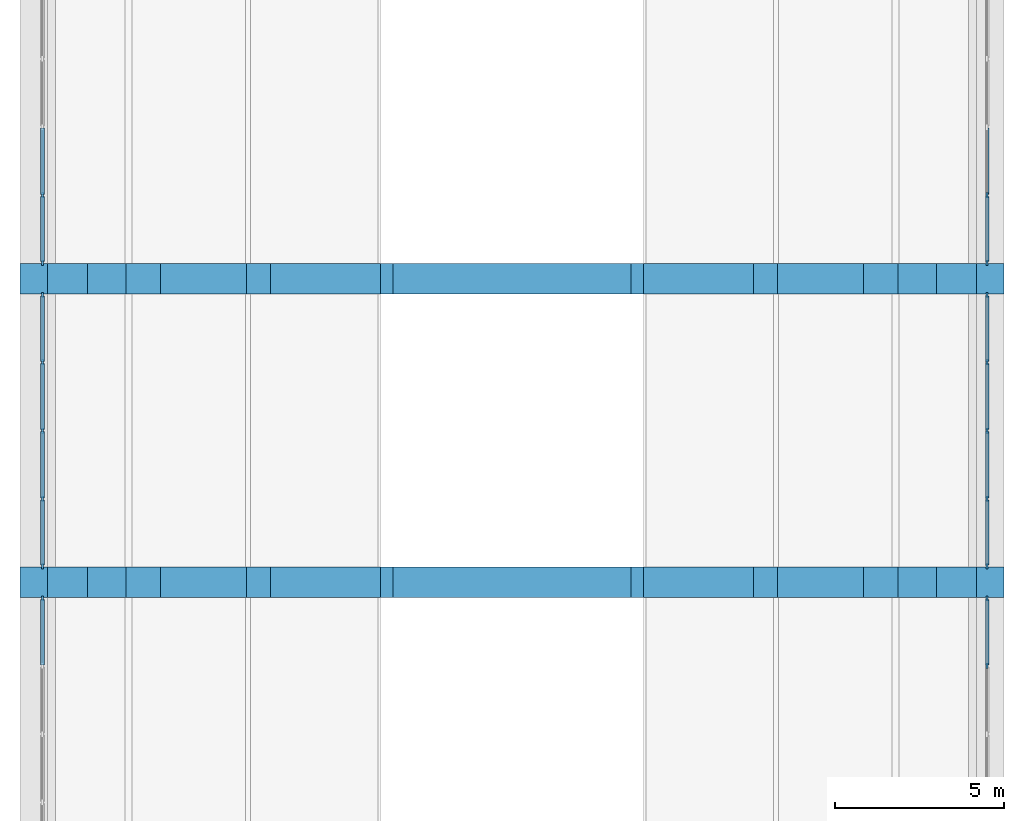
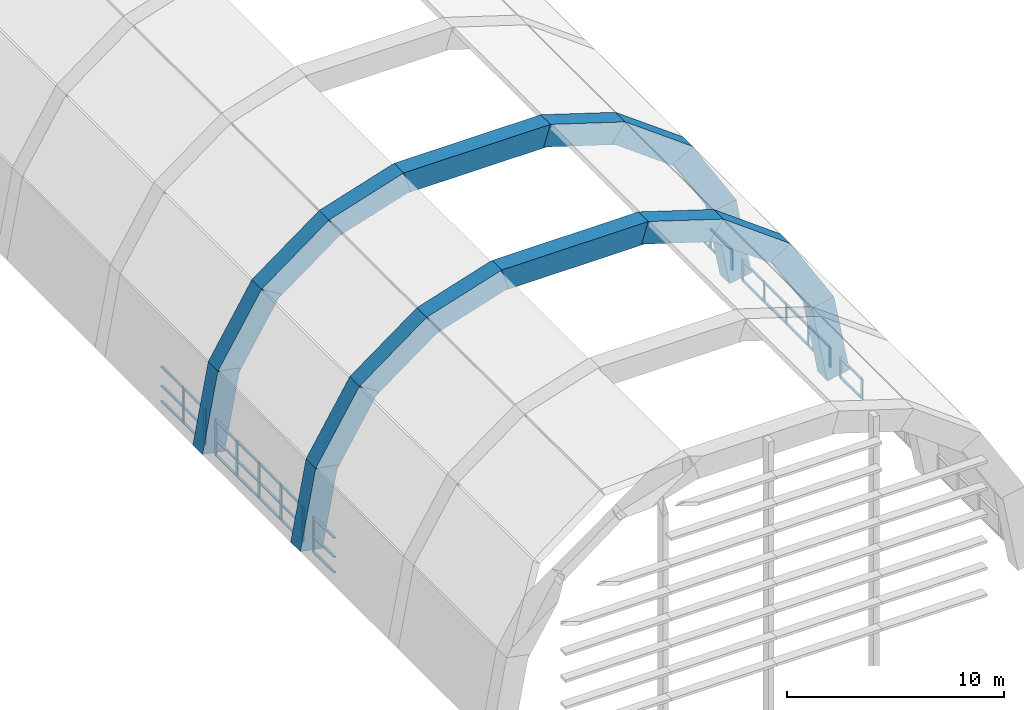
# One storey, part 2 of 8: 51 members, 18 beams, 6 elements without a shape of their own.
"""IFC4 building model written with IfcOpenShell, lengths in metres."""

from ifc_helpers import new_model, si_unit, direction, frame, origin, origin_2d, place, context, subcontext, project, spatial, rectangle, extrude, material, material_profile, profile_set, type_object, element, aggregate, save


model = new_model("IFC4")

# Units and contexts
model_context = context("Model", 3, precision=1e-05, world=origin(), true_north=direction((0.0, 1.0)))
body_context = subcontext(model_context, "Body", "Model", "MODEL_VIEW")
ifc_project = project(units=[si_unit("LENGTHUNIT", "METRE"), si_unit("AREAUNIT", "SQUARE_METRE"), si_unit("VOLUMEUNIT", "CUBIC_METRE"), si_unit("PLANEANGLEUNIT", "RADIAN"), si_unit("MASSUNIT", "GRAM", prefix="KILO")], contexts=[model_context])

# Site, building, storey
site_placement = place(None, origin())
site = spatial("IfcSite", under=ifc_project, at=site_placement, CompositionType="ELEMENT")
building_placement = place(site_placement, origin())
building = spatial("IfcBuilding", under=site, at=building_placement, Name="Elmora Arch Market Hall", CompositionType="ELEMENT")
storey_placement = place(building_placement, frame((0.0, 0.0, 18.60009765625)))
storey = spatial("IfcBuildingStorey", under=building, at=storey_placement, Name="Roof", CompositionType="ELEMENT", Elevation=18.60009765625)

# Beams
ifc_material_1 = material(Name="Concrete C40/50", Category="concrete")
ifc_material_profile_1 = material_profile(ifc_material_1, rectangle(XDim=0.89990234375, YDim=1.199951171875, at=origin_2d()), Name="Arch rib")
ifc_profile_set_1 = profile_set([ifc_material_profile_1], Name="Concrete C40/50")
beam_type = type_object("IfcBeamType", Name="Arch rib", PredefinedType="BEAM", material=ifc_profile_set_1)
beam_1_placement = place(storey_placement, frame((15.0, 45.0, 0.10986328125), z_axis=(0.18332979563, 0.0, 0.983051466625), x_axis=(0.0, 1.0, 0.0)))
element("IfcBeam", 1, at=beam_1_placement, inside=storey, type_object=beam_type, Name="Arch rib 03 segment 1", PredefinedType="BEAM", context=body_context, shape_type="SweptSolid", body=[
    extrude(rectangle(XDim=0.89990234375, YDim=1.199951171875, at=origin_2d()), origin(), (0.0, 0.0, 1.0), 4.474609375),
])
beam_2_placement = place(storey_placement, frame((15.742431640625, 45.0, 4.3056640625), z_axis=(0.52144556852, 0.0, 0.85328454754), x_axis=(0.0, 1.0, 0.0)))
element("IfcBeam", 2, at=beam_2_placement, inside=storey, type_object=beam_type, Name="Arch rib 03 segment 2", PredefinedType="BEAM", context=body_context, shape_type="SweptSolid", body=[
    extrude(rectangle(XDim=0.89990234375, YDim=1.199951171875, at=origin_2d()), origin(), (0.0, 0.0, 1.0), 4.447509765625),
])
beam_3_placement = place(storey_placement, frame((17.905029296875, 45.0, 7.929931640625), z_axis=(0.805622437168, 0.0, 0.592429311168), x_axis=(0.0, 1.0, 0.0)))
element("IfcBeam", 3, at=beam_3_placement, inside=storey, type_object=beam_type, Name="Arch rib 03 segment 3", PredefinedType="BEAM", context=body_context, shape_type="SweptSolid", body=[
    extrude(rectangle(XDim=0.89990234375, YDim=1.199951171875, at=origin_2d()), origin(), (0.0, 0.0, 1.0), 4.4375),
])
beam_4_placement = place(storey_placement, frame((21.30517578125, 45.0, 10.469970703125), z_axis=(0.953579131472, 0.0, 0.30114255764), x_axis=(0.0, 1.0, 0.0)))
element("IfcBeam", 4, at=beam_4_placement, inside=storey, type_object=beam_type, Name="Arch rib 03 segment 4", PredefinedType="BEAM", context=body_context, shape_type="SweptSolid", body=[
    extrude(rectangle(XDim=0.89990234375, YDim=1.199951171875, at=origin_2d()), origin(), (0.0, 0.0, 1.0), 4.1767578125),
])
beam_5_placement = place(storey_placement, frame((25.107421875, 45.0, 11.699951171875), z_axis=(1.0, 0.0, 0.0), x_axis=(0.0, 1.0, 0.0)))
element("IfcBeam", 5, at=beam_5_placement, inside=storey, type_object=beam_type, Name="Arch rib 03 segment 5", PredefinedType="BEAM", context=body_context, shape_type="SweptSolid", body=[
    extrude(rectangle(XDim=0.89990234375, YDim=1.199951171875, at=origin_2d()), origin(), (0.0, 0.0, 1.0), 7.78515625),
])
beam_6_placement = place(storey_placement, frame((32.7119140625, 45.0, 11.727783203125), z_axis=(0.953579131472, 0.0, -0.30114255764), x_axis=(0.0, 1.0, 0.0)))
element("IfcBeam", 6, at=beam_6_placement, inside=storey, type_object=beam_type, Name="Arch rib 03 segment 6", PredefinedType="BEAM", context=body_context, shape_type="SweptSolid", body=[
    extrude(rectangle(XDim=0.89990234375, YDim=1.199951171875, at=origin_2d()), origin(), (0.0, 0.0, 1.0), 4.1767578125),
])
beam_7_placement = place(storey_placement, frame((36.52001953125, 45.0, 10.558837890625), z_axis=(0.805622437168, 0.0, -0.592429311168), x_axis=(0.0, 1.0, 0.0)))
element("IfcBeam", 7, at=beam_7_placement, inside=storey, type_object=beam_type, Name="Arch rib 03 segment 7", PredefinedType="BEAM", context=body_context, shape_type="SweptSolid", body=[
    extrude(rectangle(XDim=0.89990234375, YDim=1.199951171875, at=origin_2d()), origin(), (0.0, 0.0, 1.0), 4.4375),
])
beam_8_placement = place(storey_placement, frame((39.9384765625, 45.0, 8.1005859375), z_axis=(0.52144556852, 0.0, -0.85328454754), x_axis=(0.0, 1.0, 0.0)))
element("IfcBeam", 8, at=beam_8_placement, inside=storey, type_object=beam_type, Name="Arch rib 03 segment 8", PredefinedType="BEAM", context=body_context, shape_type="SweptSolid", body=[
    extrude(rectangle(XDim=0.89990234375, YDim=1.199951171875, at=origin_2d()), origin(), (0.0, 0.0, 1.0), 4.447509765625),
])
for number, where, z_axis, x_axis, name in (
    (9, (42.1796875, 45.0, 4.508544921875), (0.18332979563, 0.0, -0.983051466625), (0.0, 1.0, 0.0), "Arch rib 03 segment 9"),
    (10, (15.0, 54.0, 0.10986328125), (0.18332979563, 0.0, 0.983051466625), (0.0, 1.0, 0.0), "Arch rib 04 segment 1"),
):
    element("IfcBeam", number, at=place(storey_placement, frame(where, z_axis=z_axis, x_axis=x_axis)), inside=storey, type_object=beam_type, Name=name, PredefinedType="BEAM", context=body_context, shape_type="SweptSolid", body=[
        extrude(rectangle(XDim=0.89990234375, YDim=1.199951171875, at=origin_2d()), origin(), (0.0, 0.0, 1.0), 4.474609375),
    ])
beam_9_placement = place(storey_placement, frame((15.742431640625, 54.0, 4.3056640625), z_axis=(0.52144556852, 0.0, 0.85328454754), x_axis=(0.0, 1.0, 0.0)))
element("IfcBeam", 11, at=beam_9_placement, inside=storey, type_object=beam_type, Name="Arch rib 04 segment 2", PredefinedType="BEAM", context=body_context, shape_type="SweptSolid", body=[
    extrude(rectangle(XDim=0.89990234375, YDim=1.199951171875, at=origin_2d()), origin(), (0.0, 0.0, 1.0), 4.447509765625),
])
beam_10_placement = place(storey_placement, frame((17.905029296875, 54.0, 7.929931640625), z_axis=(0.805622437168, 0.0, 0.592429311168), x_axis=(0.0, 1.0, 0.0)))
element("IfcBeam", 12, at=beam_10_placement, inside=storey, type_object=beam_type, Name="Arch rib 04 segment 3", PredefinedType="BEAM", context=body_context, shape_type="SweptSolid", body=[
    extrude(rectangle(XDim=0.89990234375, YDim=1.199951171875, at=origin_2d()), origin(), (0.0, 0.0, 1.0), 4.4375),
])
beam_11_placement = place(storey_placement, frame((21.30517578125, 54.0, 10.469970703125), z_axis=(0.953579131472, 0.0, 0.30114255764), x_axis=(0.0, 1.0, 0.0)))
element("IfcBeam", 13, at=beam_11_placement, inside=storey, type_object=beam_type, Name="Arch rib 04 segment 4", PredefinedType="BEAM", context=body_context, shape_type="SweptSolid", body=[
    extrude(rectangle(XDim=0.89990234375, YDim=1.199951171875, at=origin_2d()), origin(), (0.0, 0.0, 1.0), 4.1767578125),
])
beam_12_placement = place(storey_placement, frame((25.107421875, 54.0, 11.699951171875), z_axis=(1.0, 0.0, 0.0), x_axis=(0.0, 1.0, 0.0)))
element("IfcBeam", 14, at=beam_12_placement, inside=storey, type_object=beam_type, Name="Arch rib 04 segment 5", PredefinedType="BEAM", context=body_context, shape_type="SweptSolid", body=[
    extrude(rectangle(XDim=0.89990234375, YDim=1.199951171875, at=origin_2d()), origin(), (0.0, 0.0, 1.0), 7.78515625),
])
beam_13_placement = place(storey_placement, frame((32.7119140625, 54.0, 11.727783203125), z_axis=(0.953579131472, 0.0, -0.30114255764), x_axis=(0.0, 1.0, 0.0)))
element("IfcBeam", 15, at=beam_13_placement, inside=storey, type_object=beam_type, Name="Arch rib 04 segment 6", PredefinedType="BEAM", context=body_context, shape_type="SweptSolid", body=[
    extrude(rectangle(XDim=0.89990234375, YDim=1.199951171875, at=origin_2d()), origin(), (0.0, 0.0, 1.0), 4.1767578125),
])
beam_14_placement = place(storey_placement, frame((36.52001953125, 54.0, 10.558837890625), z_axis=(0.805622437168, 0.0, -0.592429311168), x_axis=(0.0, 1.0, 0.0)))
element("IfcBeam", 16, at=beam_14_placement, inside=storey, type_object=beam_type, Name="Arch rib 04 segment 7", PredefinedType="BEAM", context=body_context, shape_type="SweptSolid", body=[
    extrude(rectangle(XDim=0.89990234375, YDim=1.199951171875, at=origin_2d()), origin(), (0.0, 0.0, 1.0), 4.4375),
])
beam_15_placement = place(storey_placement, frame((39.9384765625, 54.0, 8.1005859375), z_axis=(0.52144556852, 0.0, -0.85328454754), x_axis=(0.0, 1.0, 0.0)))
element("IfcBeam", 17, at=beam_15_placement, inside=storey, type_object=beam_type, Name="Arch rib 04 segment 8", PredefinedType="BEAM", context=body_context, shape_type="SweptSolid", body=[
    extrude(rectangle(XDim=0.89990234375, YDim=1.199951171875, at=origin_2d()), origin(), (0.0, 0.0, 1.0), 4.447509765625),
])
beam_16_placement = place(storey_placement, frame((42.1796875, 54.0, 4.508544921875), z_axis=(0.18332979563, 0.0, -0.983051466625), x_axis=(0.0, 1.0, 0.0)))
element("IfcBeam", 18, at=beam_16_placement, inside=storey, type_object=beam_type, Name="Arch rib 04 segment 9", PredefinedType="BEAM", context=body_context, shape_type="SweptSolid", body=[
    extrude(rectangle(XDim=0.89990234375, YDim=1.199951171875, at=origin_2d()), origin(), (0.0, 0.0, 1.0), 4.474609375),
])

# Curtain wall, member
ifc_material_2 = material(Name="Aluminium", Category="aluminium")
curtain_wall_type = type_object("IfcCurtainWallType", Name="Clerestory curtain wall", PredefinedType="NOTDEFINED", material=ifc_material_2)
curtain_wall_1_placement = place(storey_placement, origin())
curtain_wall_1 = element("IfcCurtainWall", 19, at=curtain_wall_1_placement, inside=storey, type_object=curtain_wall_type, Name="Hall clerestory W 2", PredefinedType="NOTDEFINED")
ifc_material_3 = material(Name="Aluminium", Category="aluminium")
ifc_material_profile_2 = material_profile(ifc_material_3, rectangle(XDim=0.06005859375, YDim=0.159912109375, at=origin_2d()), Name="AL 60x160")
ifc_profile_set_2 = profile_set([ifc_material_profile_2], Name="Aluminium")
member_type_1 = type_object("IfcMemberType", Name="Mullion 60x160", PredefinedType="MULLION", material=ifc_profile_set_2)
member_1_placement = place(storey_placement, frame((15.080078125, 44.52001953125, 0.0), z_axis=(0.0, 0.0, 1.0), x_axis=(-1.0, 0.0, 0.0)))
member_1 = element("IfcMember", 20, at=member_1_placement, type_object=member_type_1, Name="CW4 mullion 5", PredefinedType="MULLION", context=body_context, shape_type="SweptSolid", body=[
    extrude(rectangle(XDim=0.06005859375, YDim=0.159912109375, at=origin_2d()), origin(), (0.0, 0.0, 1.0), 1.9990234375),
])

# Curtain wall, members
curtain_wall_2_placement = place(storey_placement, origin())
curtain_wall_2 = element("IfcCurtainWall", 21, at=curtain_wall_2_placement, inside=storey, type_object=curtain_wall_type, Name="Hall clerestory W 3", PredefinedType="NOTDEFINED")
member_2_placement = place(storey_placement, frame((15.080078125, 45.47998046875, 0.0), z_axis=(0.0, 0.0, 1.0), x_axis=(-1.0, 0.0, 0.0)))
member_2 = element("IfcMember", 22, at=member_2_placement, type_object=member_type_1, Name="CW4 mullion 1", PredefinedType="MULLION", context=body_context, shape_type="SweptSolid", body=[
    extrude(rectangle(XDim=0.06005859375, YDim=0.159912109375, at=origin_2d()), origin(), (0.0, 0.0, 1.0), 1.9990234375),
])
member_3_placement = place(storey_placement, frame((15.080078125, 47.47509765625, 0.0), z_axis=(0.0, 0.0, 1.0), x_axis=(-1.0, 0.0, 0.0)))
member_3 = element("IfcMember", 23, at=member_3_placement, type_object=member_type_1, Name="CW4 mullion 2", PredefinedType="MULLION", context=body_context, shape_type="SweptSolid", body=[
    extrude(rectangle(XDim=0.06005859375, YDim=0.159912109375, at=origin_2d()), origin(), (0.0, 0.0, 1.0), 1.9990234375),
])
member_4_placement = place(storey_placement, frame((15.080078125, 49.5, 0.0), z_axis=(0.0, 0.0, 1.0), x_axis=(-1.0, 0.0, 0.0)))
member_4 = element("IfcMember", 24, at=member_4_placement, type_object=member_type_1, Name="CW4 mullion 3", PredefinedType="MULLION", context=body_context, shape_type="SweptSolid", body=[
    extrude(rectangle(XDim=0.06005859375, YDim=0.159912109375, at=origin_2d()), origin(), (0.0, 0.0, 1.0), 1.9990234375),
])
member_5_placement = place(storey_placement, frame((15.080078125, 51.52490234375, 0.0), z_axis=(0.0, 0.0, 1.0), x_axis=(-1.0, 0.0, 0.0)))
member_5 = element("IfcMember", 25, at=member_5_placement, type_object=member_type_1, Name="CW4 mullion 4", PredefinedType="MULLION", context=body_context, shape_type="SweptSolid", body=[
    extrude(rectangle(XDim=0.06005859375, YDim=0.159912109375, at=origin_2d()), origin(), (0.0, 0.0, 1.0), 1.9990234375),
])
member_6_placement = place(storey_placement, frame((15.080078125, 53.52001953125, 0.0), z_axis=(0.0, 0.0, 1.0), x_axis=(-1.0, 0.0, 0.0)))
member_6 = element("IfcMember", 26, at=member_6_placement, type_object=member_type_1, Name="CW4 mullion 5", PredefinedType="MULLION", context=body_context, shape_type="SweptSolid", body=[
    extrude(rectangle(XDim=0.06005859375, YDim=0.159912109375, at=origin_2d()), origin(), (0.0, 0.0, 1.0), 1.9990234375),
])

curtain_wall_3_placement = place(storey_placement, origin())
curtain_wall_3 = element("IfcCurtainWall", 27, at=curtain_wall_3_placement, inside=storey, type_object=curtain_wall_type, Name="Hall clerestory W 4", PredefinedType="NOTDEFINED")
member_7_placement = place(storey_placement, frame((15.080078125, 54.47998046875, 0.0), z_axis=(0.0, 0.0, 1.0), x_axis=(-1.0, 0.0, 0.0)))
member_7 = element("IfcMember", 28, at=member_7_placement, type_object=member_type_1, Name="CW4 mullion 1", PredefinedType="MULLION", context=body_context, shape_type="SweptSolid", body=[
    extrude(rectangle(XDim=0.06005859375, YDim=0.159912109375, at=origin_2d()), origin(), (0.0, 0.0, 1.0), 1.9990234375),
])
member_8_placement = place(storey_placement, frame((15.080078125, 56.47509765625, 0.0), z_axis=(0.0, 0.0, 1.0), x_axis=(-1.0, 0.0, 0.0)))
member_8 = element("IfcMember", 29, at=member_8_placement, type_object=member_type_1, Name="CW4 mullion 2", PredefinedType="MULLION", context=body_context, shape_type="SweptSolid", body=[
    extrude(rectangle(XDim=0.06005859375, YDim=0.159912109375, at=origin_2d()), origin(), (0.0, 0.0, 1.0), 1.9990234375),
])

curtain_wall_4_placement = place(storey_placement, origin())
curtain_wall_4 = element("IfcCurtainWall", 30, at=curtain_wall_4_placement, inside=storey, type_object=curtain_wall_type, Name="Hall clerestory E 2", PredefinedType="NOTDEFINED")
member_9_placement = place(storey_placement, frame((43.080078125, 42.52490234375, 0.0), z_axis=(0.0, 0.0, 1.0), x_axis=(-1.0, 0.0, 0.0)))
member_9 = element("IfcMember", 31, at=member_9_placement, type_object=member_type_1, Name="CW4 mullion 4", PredefinedType="MULLION", context=body_context, shape_type="SweptSolid", body=[
    extrude(rectangle(XDim=0.06005859375, YDim=0.159912109375, at=origin_2d()), origin(), (0.0, 0.0, 1.0), 1.140869140625),
])
member_10_placement = place(storey_placement, frame((43.080078125, 44.52001953125, 0.0), z_axis=(0.0, 0.0, 1.0), x_axis=(-1.0, 0.0, 0.0)))
member_10 = element("IfcMember", 32, at=member_10_placement, type_object=member_type_1, Name="CW4 mullion 5", PredefinedType="MULLION", context=body_context, shape_type="SweptSolid", body=[
    extrude(rectangle(XDim=0.06005859375, YDim=0.159912109375, at=origin_2d()), origin(), (0.0, 0.0, 1.0), 1.140869140625),
])

curtain_wall_5_placement = place(storey_placement, origin())
curtain_wall_5 = element("IfcCurtainWall", 33, at=curtain_wall_5_placement, inside=storey, type_object=curtain_wall_type, Name="Hall clerestory E 3", PredefinedType="NOTDEFINED")
member_11_placement = place(storey_placement, frame((43.080078125, 45.47998046875, 0.0), z_axis=(0.0, 0.0, 1.0), x_axis=(-1.0, 0.0, 0.0)))
member_11 = element("IfcMember", 34, at=member_11_placement, type_object=member_type_1, Name="CW4 mullion 1", PredefinedType="MULLION", context=body_context, shape_type="SweptSolid", body=[
    extrude(rectangle(XDim=0.06005859375, YDim=0.159912109375, at=origin_2d()), origin(), (0.0, 0.0, 1.0), 1.140869140625),
])
member_12_placement = place(storey_placement, frame((43.080078125, 47.47509765625, 0.0), z_axis=(0.0, 0.0, 1.0), x_axis=(-1.0, 0.0, 0.0)))
member_12 = element("IfcMember", 35, at=member_12_placement, type_object=member_type_1, Name="CW4 mullion 2", PredefinedType="MULLION", context=body_context, shape_type="SweptSolid", body=[
    extrude(rectangle(XDim=0.06005859375, YDim=0.159912109375, at=origin_2d()), origin(), (0.0, 0.0, 1.0), 1.140869140625),
])
member_13_placement = place(storey_placement, frame((43.080078125, 49.5, 0.0), z_axis=(0.0, 0.0, 1.0), x_axis=(-1.0, 0.0, 0.0)))
member_13 = element("IfcMember", 36, at=member_13_placement, type_object=member_type_1, Name="CW4 mullion 3", PredefinedType="MULLION", context=body_context, shape_type="SweptSolid", body=[
    extrude(rectangle(XDim=0.06005859375, YDim=0.159912109375, at=origin_2d()), origin(), (0.0, 0.0, 1.0), 1.140869140625),
])
member_14_placement = place(storey_placement, frame((43.080078125, 51.52490234375, 0.0), z_axis=(0.0, 0.0, 1.0), x_axis=(-1.0, 0.0, 0.0)))
member_14 = element("IfcMember", 37, at=member_14_placement, type_object=member_type_1, Name="CW4 mullion 4", PredefinedType="MULLION", context=body_context, shape_type="SweptSolid", body=[
    extrude(rectangle(XDim=0.06005859375, YDim=0.159912109375, at=origin_2d()), origin(), (0.0, 0.0, 1.0), 1.140869140625),
])
member_15_placement = place(storey_placement, frame((43.080078125, 53.52001953125, 0.0), z_axis=(0.0, 0.0, 1.0), x_axis=(-1.0, 0.0, 0.0)))
member_15 = element("IfcMember", 38, at=member_15_placement, type_object=member_type_1, Name="CW4 mullion 5", PredefinedType="MULLION", context=body_context, shape_type="SweptSolid", body=[
    extrude(rectangle(XDim=0.06005859375, YDim=0.159912109375, at=origin_2d()), origin(), (0.0, 0.0, 1.0), 1.140869140625),
])

curtain_wall_6_placement = place(storey_placement, origin())
curtain_wall_6 = element("IfcCurtainWall", 39, at=curtain_wall_6_placement, inside=storey, type_object=curtain_wall_type, Name="Hall clerestory E 4", PredefinedType="NOTDEFINED")
member_16_placement = place(storey_placement, frame((43.080078125, 54.47998046875, 0.0), z_axis=(0.0, 0.0, 1.0), x_axis=(-1.0, 0.0, 0.0)))
member_16 = element("IfcMember", 40, at=member_16_placement, type_object=member_type_1, Name="CW4 mullion 1", PredefinedType="MULLION", context=body_context, shape_type="SweptSolid", body=[
    extrude(rectangle(XDim=0.06005859375, YDim=0.159912109375, at=origin_2d()), origin(), (0.0, 0.0, 1.0), 1.140869140625),
])
member_17_placement = place(storey_placement, frame((43.080078125, 56.47509765625, 0.0), z_axis=(0.0, 0.0, 1.0), x_axis=(-1.0, 0.0, 0.0)))
member_17 = element("IfcMember", 41, at=member_17_placement, type_object=member_type_1, Name="CW4 mullion 2", PredefinedType="MULLION", context=body_context, shape_type="SweptSolid", body=[
    extrude(rectangle(XDim=0.06005859375, YDim=0.159912109375, at=origin_2d()), origin(), (0.0, 0.0, 1.0), 1.140869140625),
])

# Member
ifc_material_4 = material(Name="Aluminium", Category="aluminium")
ifc_material_profile_3 = material_profile(ifc_material_4, rectangle(XDim=0.1201171875, YDim=0.06005859375, at=origin_2d()), Name="AL 120x60")
ifc_profile_set_3 = profile_set([ifc_material_profile_3], Name="Aluminium")
member_type_2 = type_object("IfcMemberType", Name="Transom 120x60", PredefinedType="USERDEFINED", material=ifc_profile_set_3)
member_18_placement = place(storey_placement, frame((15.080078125, 42.554931640625, 0.02978515625), z_axis=(0.0, 1.0, 0.0), x_axis=(-1.0, 0.0, 0.0)))
member_18 = element("IfcMember", 42, at=member_18_placement, type_object=member_type_2, Name="CW4 transom 4.1", ObjectType="TRANSOM", PredefinedType="USERDEFINED", context=body_context, shape_type="SweptSolid", body=[
    extrude(rectangle(XDim=0.1201171875, YDim=0.06005859375, at=origin_2d()), origin(), (0.0, 0.0, 1.0), 1.93505859375),
])

member_19_placement = place(storey_placement, frame((15.080078125, 42.554931640625, 0.89990234375), z_axis=(0.0, 1.0, 0.0), x_axis=(-1.0, 0.0, 0.0)))
member_19 = element("IfcMember", 43, at=member_19_placement, type_object=member_type_2, Name="CW4 transom 4.2", ObjectType="TRANSOM", PredefinedType="USERDEFINED", context=body_context, shape_type="SweptSolid", body=[
    extrude(rectangle(XDim=0.1201171875, YDim=0.06005859375, at=origin_2d()), origin(), (0.0, 0.0, 1.0), 1.93505859375),
])

member_20_placement = place(storey_placement, frame((15.080078125, 42.554931640625, 1.968994140625), z_axis=(0.0, 1.0, 0.0), x_axis=(-1.0, 0.0, 0.0)))
member_20 = element("IfcMember", 44, at=member_20_placement, type_object=member_type_2, Name="CW4 transom 4.3", ObjectType="TRANSOM", PredefinedType="USERDEFINED", context=body_context, shape_type="SweptSolid", body=[
    extrude(rectangle(XDim=0.1201171875, YDim=0.06005859375, at=origin_2d()), origin(), (0.0, 0.0, 1.0), 1.93505859375),
])

aggregate(curtain_wall_1, [member_1, member_18, member_19, member_20])

member_21_placement = place(storey_placement, frame((15.080078125, 45.510009765625, 0.02978515625), z_axis=(0.0, 1.0, 0.0), x_axis=(-1.0, 0.0, 0.0)))
member_21 = element("IfcMember", 45, at=member_21_placement, type_object=member_type_2, Name="CW4 transom 1.1", ObjectType="TRANSOM", PredefinedType="USERDEFINED", context=body_context, shape_type="SweptSolid", body=[
    extrude(rectangle(XDim=0.1201171875, YDim=0.06005859375, at=origin_2d()), origin(), (0.0, 0.0, 1.0), 1.93505859375),
])

member_22_placement = place(storey_placement, frame((15.080078125, 45.510009765625, 0.89990234375), z_axis=(0.0, 1.0, 0.0), x_axis=(-1.0, 0.0, 0.0)))
member_22 = element("IfcMember", 46, at=member_22_placement, type_object=member_type_2, Name="CW4 transom 1.2", ObjectType="TRANSOM", PredefinedType="USERDEFINED", context=body_context, shape_type="SweptSolid", body=[
    extrude(rectangle(XDim=0.1201171875, YDim=0.06005859375, at=origin_2d()), origin(), (0.0, 0.0, 1.0), 1.93505859375),
])

member_23_placement = place(storey_placement, frame((15.080078125, 45.510009765625, 1.968994140625), z_axis=(0.0, 1.0, 0.0), x_axis=(-1.0, 0.0, 0.0)))
member_23 = element("IfcMember", 47, at=member_23_placement, type_object=member_type_2, Name="CW4 transom 1.3", ObjectType="TRANSOM", PredefinedType="USERDEFINED", context=body_context, shape_type="SweptSolid", body=[
    extrude(rectangle(XDim=0.1201171875, YDim=0.06005859375, at=origin_2d()), origin(), (0.0, 0.0, 1.0), 1.93505859375),
])

member_24_placement = place(storey_placement, frame((15.080078125, 47.5048828125, 0.02978515625), z_axis=(0.0, 1.0, 0.0), x_axis=(-1.0, 0.0, 0.0)))
member_24 = element("IfcMember", 48, at=member_24_placement, type_object=member_type_2, Name="CW4 transom 2.1", ObjectType="TRANSOM", PredefinedType="USERDEFINED", context=body_context, shape_type="SweptSolid", body=[
    extrude(rectangle(XDim=0.1201171875, YDim=0.06005859375, at=origin_2d()), origin(), (0.0, 0.0, 1.0), 1.965087890625),
])

member_25_placement = place(storey_placement, frame((15.080078125, 47.5048828125, 0.89990234375), z_axis=(0.0, 1.0, 0.0), x_axis=(-1.0, 0.0, 0.0)))
member_25 = element("IfcMember", 49, at=member_25_placement, type_object=member_type_2, Name="CW4 transom 2.2", ObjectType="TRANSOM", PredefinedType="USERDEFINED", context=body_context, shape_type="SweptSolid", body=[
    extrude(rectangle(XDim=0.1201171875, YDim=0.06005859375, at=origin_2d()), origin(), (0.0, 0.0, 1.0), 1.965087890625),
])

member_26_placement = place(storey_placement, frame((15.080078125, 47.5048828125, 1.968994140625), z_axis=(0.0, 1.0, 0.0), x_axis=(-1.0, 0.0, 0.0)))
member_26 = element("IfcMember", 50, at=member_26_placement, type_object=member_type_2, Name="CW4 transom 2.3", ObjectType="TRANSOM", PredefinedType="USERDEFINED", context=body_context, shape_type="SweptSolid", body=[
    extrude(rectangle(XDim=0.1201171875, YDim=0.06005859375, at=origin_2d()), origin(), (0.0, 0.0, 1.0), 1.965087890625),
])

member_27_placement = place(storey_placement, frame((15.080078125, 49.530029296875, 0.02978515625), z_axis=(0.0, 1.0, 0.0), x_axis=(-1.0, 0.0, 0.0)))
member_27 = element("IfcMember", 51, at=member_27_placement, type_object=member_type_2, Name="CW4 transom 3.1", ObjectType="TRANSOM", PredefinedType="USERDEFINED", context=body_context, shape_type="SweptSolid", body=[
    extrude(rectangle(XDim=0.1201171875, YDim=0.06005859375, at=origin_2d()), origin(), (0.0, 0.0, 1.0), 1.965087890625),
])

member_28_placement = place(storey_placement, frame((15.080078125, 49.530029296875, 0.89990234375), z_axis=(0.0, 1.0, 0.0), x_axis=(-1.0, 0.0, 0.0)))
member_28 = element("IfcMember", 52, at=member_28_placement, type_object=member_type_2, Name="CW4 transom 3.2", ObjectType="TRANSOM", PredefinedType="USERDEFINED", context=body_context, shape_type="SweptSolid", body=[
    extrude(rectangle(XDim=0.1201171875, YDim=0.06005859375, at=origin_2d()), origin(), (0.0, 0.0, 1.0), 1.965087890625),
])

member_29_placement = place(storey_placement, frame((15.080078125, 49.530029296875, 1.968994140625), z_axis=(0.0, 1.0, 0.0), x_axis=(-1.0, 0.0, 0.0)))
member_29 = element("IfcMember", 53, at=member_29_placement, type_object=member_type_2, Name="CW4 transom 3.3", ObjectType="TRANSOM", PredefinedType="USERDEFINED", context=body_context, shape_type="SweptSolid", body=[
    extrude(rectangle(XDim=0.1201171875, YDim=0.06005859375, at=origin_2d()), origin(), (0.0, 0.0, 1.0), 1.965087890625),
])

member_30_placement = place(storey_placement, frame((15.080078125, 51.554931640625, 0.02978515625), z_axis=(0.0, 1.0, 0.0), x_axis=(-1.0, 0.0, 0.0)))
member_30 = element("IfcMember", 54, at=member_30_placement, type_object=member_type_2, Name="CW4 transom 4.1", ObjectType="TRANSOM", PredefinedType="USERDEFINED", context=body_context, shape_type="SweptSolid", body=[
    extrude(rectangle(XDim=0.1201171875, YDim=0.06005859375, at=origin_2d()), origin(), (0.0, 0.0, 1.0), 1.93505859375),
])

member_31_placement = place(storey_placement, frame((15.080078125, 51.554931640625, 0.89990234375), z_axis=(0.0, 1.0, 0.0), x_axis=(-1.0, 0.0, 0.0)))
member_31 = element("IfcMember", 55, at=member_31_placement, type_object=member_type_2, Name="CW4 transom 4.2", ObjectType="TRANSOM", PredefinedType="USERDEFINED", context=body_context, shape_type="SweptSolid", body=[
    extrude(rectangle(XDim=0.1201171875, YDim=0.06005859375, at=origin_2d()), origin(), (0.0, 0.0, 1.0), 1.93505859375),
])

member_32_placement = place(storey_placement, frame((15.080078125, 51.554931640625, 1.968994140625), z_axis=(0.0, 1.0, 0.0), x_axis=(-1.0, 0.0, 0.0)))
member_32 = element("IfcMember", 56, at=member_32_placement, type_object=member_type_2, Name="CW4 transom 4.3", ObjectType="TRANSOM", PredefinedType="USERDEFINED", context=body_context, shape_type="SweptSolid", body=[
    extrude(rectangle(XDim=0.1201171875, YDim=0.06005859375, at=origin_2d()), origin(), (0.0, 0.0, 1.0), 1.93505859375),
])

aggregate(curtain_wall_2, [member_2, member_3, member_4, member_5, member_6, member_21, member_22, member_23, member_24, member_25, member_26, member_27, member_28, member_29, member_30, member_31, member_32])

member_33_placement = place(storey_placement, frame((15.080078125, 54.510009765625, 0.02978515625), z_axis=(0.0, 1.0, 0.0), x_axis=(-1.0, 0.0, 0.0)))
member_33 = element("IfcMember", 57, at=member_33_placement, type_object=member_type_2, Name="CW4 transom 1.1", ObjectType="TRANSOM", PredefinedType="USERDEFINED", context=body_context, shape_type="SweptSolid", body=[
    extrude(rectangle(XDim=0.1201171875, YDim=0.06005859375, at=origin_2d()), origin(), (0.0, 0.0, 1.0), 1.93505859375),
])

member_34_placement = place(storey_placement, frame((15.080078125, 54.510009765625, 0.89990234375), z_axis=(0.0, 1.0, 0.0), x_axis=(-1.0, 0.0, 0.0)))
member_34 = element("IfcMember", 58, at=member_34_placement, type_object=member_type_2, Name="CW4 transom 1.2", ObjectType="TRANSOM", PredefinedType="USERDEFINED", context=body_context, shape_type="SweptSolid", body=[
    extrude(rectangle(XDim=0.1201171875, YDim=0.06005859375, at=origin_2d()), origin(), (0.0, 0.0, 1.0), 1.93505859375),
])

member_35_placement = place(storey_placement, frame((15.080078125, 54.510009765625, 1.968994140625), z_axis=(0.0, 1.0, 0.0), x_axis=(-1.0, 0.0, 0.0)))
member_35 = element("IfcMember", 59, at=member_35_placement, type_object=member_type_2, Name="CW4 transom 1.3", ObjectType="TRANSOM", PredefinedType="USERDEFINED", context=body_context, shape_type="SweptSolid", body=[
    extrude(rectangle(XDim=0.1201171875, YDim=0.06005859375, at=origin_2d()), origin(), (0.0, 0.0, 1.0), 1.93505859375),
])

member_36_placement = place(storey_placement, frame((15.080078125, 56.5048828125, 0.02978515625), z_axis=(0.0, 1.0, 0.0), x_axis=(-1.0, 0.0, 0.0)))
member_36 = element("IfcMember", 60, at=member_36_placement, type_object=member_type_2, Name="CW4 transom 2.1", ObjectType="TRANSOM", PredefinedType="USERDEFINED", context=body_context, shape_type="SweptSolid", body=[
    extrude(rectangle(XDim=0.1201171875, YDim=0.06005859375, at=origin_2d()), origin(), (0.0, 0.0, 1.0), 1.965087890625),
])

member_37_placement = place(storey_placement, frame((15.080078125, 56.5048828125, 0.89990234375), z_axis=(0.0, 1.0, 0.0), x_axis=(-1.0, 0.0, 0.0)))
member_37 = element("IfcMember", 61, at=member_37_placement, type_object=member_type_2, Name="CW4 transom 2.2", ObjectType="TRANSOM", PredefinedType="USERDEFINED", context=body_context, shape_type="SweptSolid", body=[
    extrude(rectangle(XDim=0.1201171875, YDim=0.06005859375, at=origin_2d()), origin(), (0.0, 0.0, 1.0), 1.965087890625),
])

member_38_placement = place(storey_placement, frame((15.080078125, 56.5048828125, 1.968994140625), z_axis=(0.0, 1.0, 0.0), x_axis=(-1.0, 0.0, 0.0)))
member_38 = element("IfcMember", 62, at=member_38_placement, type_object=member_type_2, Name="CW4 transom 2.3", ObjectType="TRANSOM", PredefinedType="USERDEFINED", context=body_context, shape_type="SweptSolid", body=[
    extrude(rectangle(XDim=0.1201171875, YDim=0.06005859375, at=origin_2d()), origin(), (0.0, 0.0, 1.0), 1.965087890625),
])

aggregate(curtain_wall_3, [member_7, member_8, member_33, member_34, member_35, member_36, member_37, member_38])

member_39_placement = place(storey_placement, frame((43.080078125, 42.554931640625, 0.02978515625), z_axis=(0.0, 1.0, 0.0), x_axis=(-1.0, 0.0, 0.0)))
member_39 = element("IfcMember", 63, at=member_39_placement, type_object=member_type_2, Name="CW4 transom 4.1", ObjectType="TRANSOM", PredefinedType="USERDEFINED", context=body_context, shape_type="SweptSolid", body=[
    extrude(rectangle(XDim=0.1201171875, YDim=0.06005859375, at=origin_2d()), origin(), (0.0, 0.0, 1.0), 1.93505859375),
])

member_40_placement = place(storey_placement, frame((43.080078125, 42.554931640625, 1.11083984375), z_axis=(0.0, 1.0, 0.0), x_axis=(-1.0, 0.0, 0.0)))
member_40 = element("IfcMember", 64, at=member_40_placement, type_object=member_type_2, Name="CW4 transom 4.2", ObjectType="TRANSOM", PredefinedType="USERDEFINED", context=body_context, shape_type="SweptSolid", body=[
    extrude(rectangle(XDim=0.1201171875, YDim=0.06005859375, at=origin_2d()), origin(), (0.0, 0.0, 1.0), 1.93505859375),
])

aggregate(curtain_wall_4, [member_9, member_10, member_39, member_40])

member_41_placement = place(storey_placement, frame((43.080078125, 45.510009765625, 0.02978515625), z_axis=(0.0, 1.0, 0.0), x_axis=(-1.0, 0.0, 0.0)))
member_41 = element("IfcMember", 65, at=member_41_placement, type_object=member_type_2, Name="CW4 transom 1.1", ObjectType="TRANSOM", PredefinedType="USERDEFINED", context=body_context, shape_type="SweptSolid", body=[
    extrude(rectangle(XDim=0.1201171875, YDim=0.06005859375, at=origin_2d()), origin(), (0.0, 0.0, 1.0), 1.93505859375),
])

member_42_placement = place(storey_placement, frame((43.080078125, 45.510009765625, 1.11083984375), z_axis=(0.0, 1.0, 0.0), x_axis=(-1.0, 0.0, 0.0)))
member_42 = element("IfcMember", 66, at=member_42_placement, type_object=member_type_2, Name="CW4 transom 1.2", ObjectType="TRANSOM", PredefinedType="USERDEFINED", context=body_context, shape_type="SweptSolid", body=[
    extrude(rectangle(XDim=0.1201171875, YDim=0.06005859375, at=origin_2d()), origin(), (0.0, 0.0, 1.0), 1.93505859375),
])

member_43_placement = place(storey_placement, frame((43.080078125, 47.5048828125, 0.02978515625), z_axis=(0.0, 1.0, 0.0), x_axis=(-1.0, 0.0, 0.0)))
member_43 = element("IfcMember", 67, at=member_43_placement, type_object=member_type_2, Name="CW4 transom 2.1", ObjectType="TRANSOM", PredefinedType="USERDEFINED", context=body_context, shape_type="SweptSolid", body=[
    extrude(rectangle(XDim=0.1201171875, YDim=0.06005859375, at=origin_2d()), origin(), (0.0, 0.0, 1.0), 1.965087890625),
])

member_44_placement = place(storey_placement, frame((43.080078125, 47.5048828125, 1.11083984375), z_axis=(0.0, 1.0, 0.0), x_axis=(-1.0, 0.0, 0.0)))
member_44 = element("IfcMember", 68, at=member_44_placement, type_object=member_type_2, Name="CW4 transom 2.2", ObjectType="TRANSOM", PredefinedType="USERDEFINED", context=body_context, shape_type="SweptSolid", body=[
    extrude(rectangle(XDim=0.1201171875, YDim=0.06005859375, at=origin_2d()), origin(), (0.0, 0.0, 1.0), 1.965087890625),
])

member_45_placement = place(storey_placement, frame((43.080078125, 49.530029296875, 0.02978515625), z_axis=(0.0, 1.0, 0.0), x_axis=(-1.0, 0.0, 0.0)))
member_45 = element("IfcMember", 69, at=member_45_placement, type_object=member_type_2, Name="CW4 transom 3.1", ObjectType="TRANSOM", PredefinedType="USERDEFINED", context=body_context, shape_type="SweptSolid", body=[
    extrude(rectangle(XDim=0.1201171875, YDim=0.06005859375, at=origin_2d()), origin(), (0.0, 0.0, 1.0), 1.965087890625),
])

member_46_placement = place(storey_placement, frame((43.080078125, 49.530029296875, 1.11083984375), z_axis=(0.0, 1.0, 0.0), x_axis=(-1.0, 0.0, 0.0)))
member_46 = element("IfcMember", 70, at=member_46_placement, type_object=member_type_2, Name="CW4 transom 3.2", ObjectType="TRANSOM", PredefinedType="USERDEFINED", context=body_context, shape_type="SweptSolid", body=[
    extrude(rectangle(XDim=0.1201171875, YDim=0.06005859375, at=origin_2d()), origin(), (0.0, 0.0, 1.0), 1.965087890625),
])

member_47_placement = place(storey_placement, frame((43.080078125, 51.554931640625, 0.02978515625), z_axis=(0.0, 1.0, 0.0), x_axis=(-1.0, 0.0, 0.0)))
member_47 = element("IfcMember", 71, at=member_47_placement, type_object=member_type_2, Name="CW4 transom 4.1", ObjectType="TRANSOM", PredefinedType="USERDEFINED", context=body_context, shape_type="SweptSolid", body=[
    extrude(rectangle(XDim=0.1201171875, YDim=0.06005859375, at=origin_2d()), origin(), (0.0, 0.0, 1.0), 1.93505859375),
])

member_48_placement = place(storey_placement, frame((43.080078125, 51.554931640625, 1.11083984375), z_axis=(0.0, 1.0, 0.0), x_axis=(-1.0, 0.0, 0.0)))
member_48 = element("IfcMember", 72, at=member_48_placement, type_object=member_type_2, Name="CW4 transom 4.2", ObjectType="TRANSOM", PredefinedType="USERDEFINED", context=body_context, shape_type="SweptSolid", body=[
    extrude(rectangle(XDim=0.1201171875, YDim=0.06005859375, at=origin_2d()), origin(), (0.0, 0.0, 1.0), 1.93505859375),
])

aggregate(curtain_wall_5, [member_11, member_12, member_13, member_14, member_15, member_41, member_42, member_43, member_44, member_45, member_46, member_47, member_48])

member_49_placement = place(storey_placement, frame((43.080078125, 54.510009765625, 0.02978515625), z_axis=(0.0, 1.0, 0.0), x_axis=(-1.0, 0.0, 0.0)))
member_49 = element("IfcMember", 73, at=member_49_placement, type_object=member_type_2, Name="CW4 transom 1.1", ObjectType="TRANSOM", PredefinedType="USERDEFINED", context=body_context, shape_type="SweptSolid", body=[
    extrude(rectangle(XDim=0.1201171875, YDim=0.06005859375, at=origin_2d()), origin(), (0.0, 0.0, 1.0), 1.93505859375),
])

member_50_placement = place(storey_placement, frame((43.080078125, 54.510009765625, 1.11083984375), z_axis=(0.0, 1.0, 0.0), x_axis=(-1.0, 0.0, 0.0)))
member_50 = element("IfcMember", 74, at=member_50_placement, type_object=member_type_2, Name="CW4 transom 1.2", ObjectType="TRANSOM", PredefinedType="USERDEFINED", context=body_context, shape_type="SweptSolid", body=[
    extrude(rectangle(XDim=0.1201171875, YDim=0.06005859375, at=origin_2d()), origin(), (0.0, 0.0, 1.0), 1.93505859375),
])

member_51_placement = place(storey_placement, frame((43.080078125, 56.5048828125, 0.02978515625), z_axis=(0.0, 1.0, 0.0), x_axis=(-1.0, 0.0, 0.0)))
member_51 = element("IfcMember", 75, at=member_51_placement, type_object=member_type_2, Name="CW4 transom 2.1", ObjectType="TRANSOM", PredefinedType="USERDEFINED", context=body_context, shape_type="SweptSolid", body=[
    extrude(rectangle(XDim=0.1201171875, YDim=0.06005859375, at=origin_2d()), origin(), (0.0, 0.0, 1.0), 1.965087890625),
])

aggregate(curtain_wall_6, [member_16, member_17, member_49, member_50, member_51])

save(model, "model.ifc")
